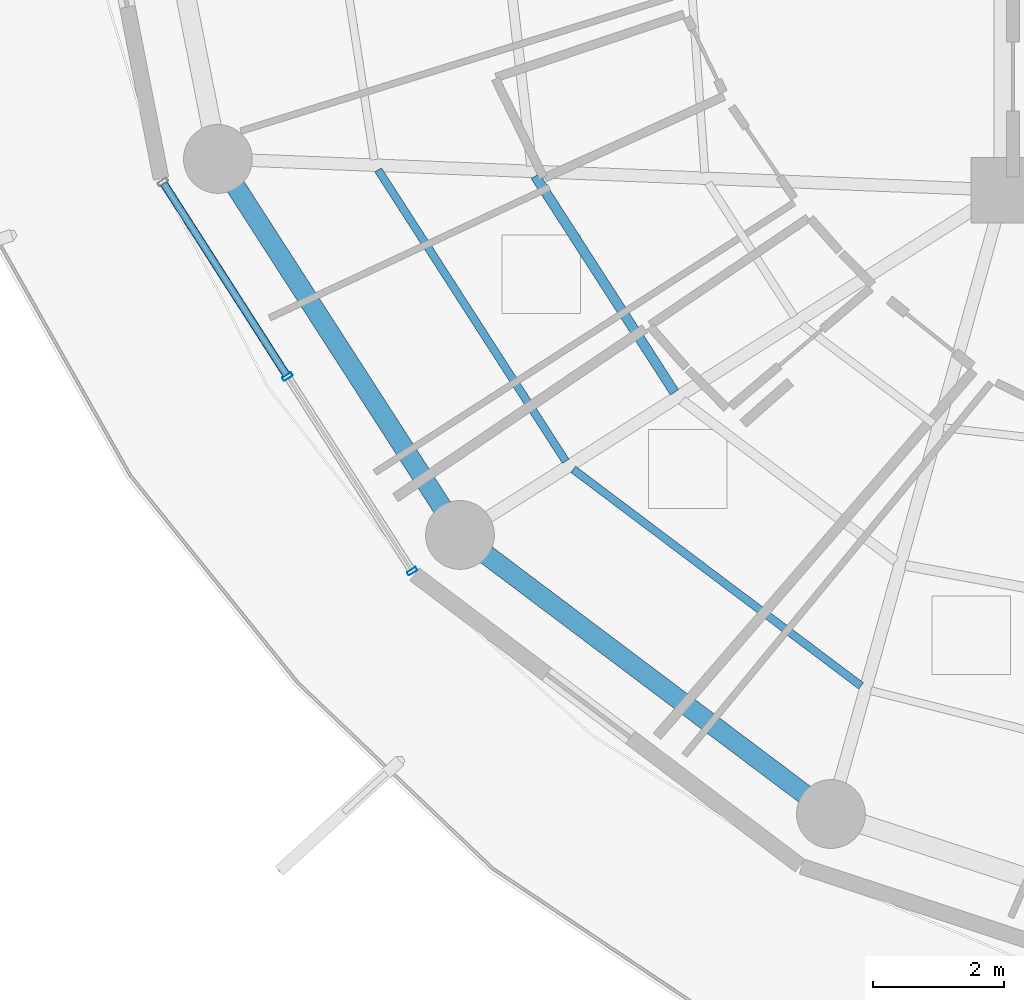
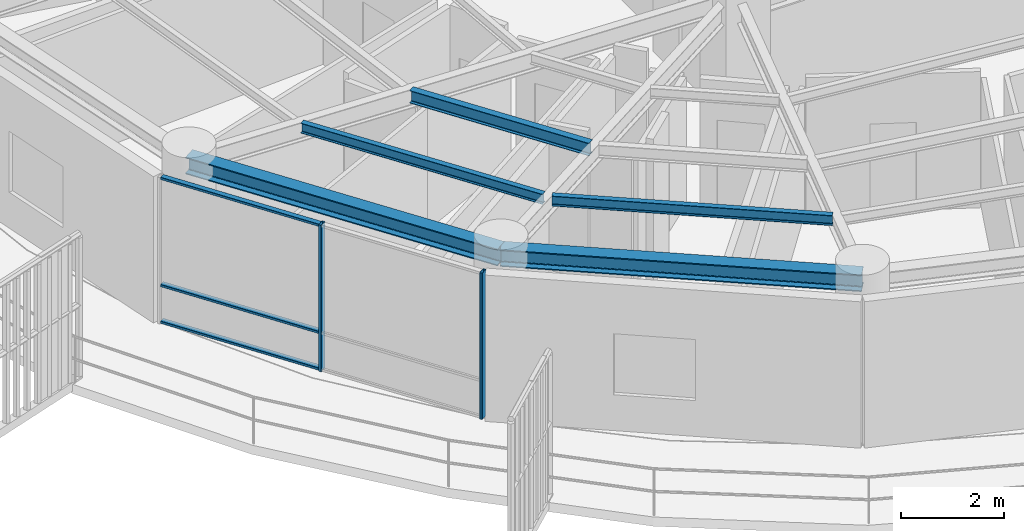
# One storey, part 2 of 31: 5 beams, 5 members, 1 element without a shape of its own.
"""IFC4 building model written with IfcOpenShell, lengths in metres."""

from ifc_helpers import new_model, si_unit, direction, frame, origin, origin_2d, place, context, subcontext, project, spatial, hollow_rectangle, i_section, extrude, material, layer, layer_set, material_profile, profile_set, type_object, element, aggregate, save


model = new_model("IFC4")

# Units and contexts
model_context = context("Model", 3, precision=1e-05, world=origin(), true_north=direction((0.0, 1.0)))
body_context = subcontext(model_context, "Body", "Model", "MODEL_VIEW")
ifc_project = project(units=[si_unit("LENGTHUNIT", "METRE"), si_unit("AREAUNIT", "SQUARE_METRE"), si_unit("VOLUMEUNIT", "CUBIC_METRE"), si_unit("PLANEANGLEUNIT", "RADIAN"), si_unit("MASSUNIT", "GRAM", prefix="KILO")], contexts=[model_context])

# Site, building, storey
site_placement = place(None, origin())
site = spatial("IfcSite", under=ifc_project, at=site_placement, CompositionType="ELEMENT")
building_placement = place(site_placement, origin())
building = spatial("IfcBuilding", under=site, at=building_placement, Name="Kelanora Arch Commons", CompositionType="ELEMENT")
storey_placement = place(building_placement, frame((0.0, 0.0, 230.699951171875)))
storey = spatial("IfcBuildingStorey", under=building, at=storey_placement, Name="L59", CompositionType="ELEMENT", Elevation=230.699951171875)

# Beams
ifc_material_1 = material(Name="Steel S355", Category="steel")
ifc_material_profile_1 = material_profile(ifc_material_1, i_section(OverallWidth=0.14990234375, OverallDepth=0.300048828125, WebThickness=0.007080078125, FlangeThickness=0.0107421875, FilletRadius=0.014892578125, at=origin_2d()), Name="IPE300")
ifc_profile_set_1 = profile_set([ifc_material_profile_1], Name="Steel S355")
beam_type_1 = type_object("IfcBeamType", Name="BM-JST-01", PredefinedType="JOIST", material=ifc_profile_set_1)
beam_1_placement = place(storey_placement, frame((58.847900390625, 51.213134765625, 3.340087890625), z_axis=(0.541411265892, -0.840757896879, 0.0), x_axis=(0.840757896879, 0.541411265892, 0.0)))
element("IfcBeam", 1, at=beam_1_placement, inside=storey, type_object=beam_type_1, Name="Secondary Chord Joist BJB-20 L59", PredefinedType="JOIST", context=body_context, shape_type="SweptSolid", body=[
    extrude(i_section(OverallWidth=0.14990234375, OverallDepth=0.300048828125, WebThickness=0.007080078125, FlangeThickness=0.0107421875, FilletRadius=0.014892578125, at=origin_2d()), origin(), (0.0, 0.0, 1.0), 3.92529296875),
])
ifc_material_profile_2 = material_profile(ifc_material_1, i_section(OverallWidth=0.1201171875, OverallDepth=0.239990234375, WebThickness=0.006103515625, FlangeThickness=0.009765625, FilletRadius=0.014892578125, at=origin_2d()), Name="IPE240")
ifc_profile_set_2 = profile_set([ifc_material_profile_2], Name="Steel S355")
beam_type_2 = type_object("IfcBeamType", Name="BM-JST-02", PredefinedType="JOIST", material=ifc_profile_set_2)
beam_2_placement = place(storey_placement, frame((56.44873046875, 51.30810546875, 3.3701171875), z_axis=(0.541382492679, -0.840776424872, 0.0), x_axis=(0.840776424872, 0.541382492679, 0.0)))
element("IfcBeam", 2, at=beam_2_placement, inside=storey, type_object=beam_type_2, Name="Secondary Chord Joist BJC-20 L59", PredefinedType="JOIST", context=body_context, shape_type="SweptSolid", body=[
    extrude(i_section(OverallWidth=0.1201171875, OverallDepth=0.239990234375, WebThickness=0.006103515625, FlangeThickness=0.009765625, FilletRadius=0.014892578125, at=origin_2d()), origin(), (0.0, 0.0, 1.0), 5.29052734375),
])
beam_3_placement = place(storey_placement, frame((59.4267578125, 46.7373046875, 3.3701171875), z_axis=(0.799109197935, -0.601185902842, 0.0), x_axis=(0.601185902842, 0.799109197935, 0.0)))
element("IfcBeam", 3, at=beam_3_placement, inside=storey, type_object=beam_type_2, Name="Secondary Chord Joist BJC-22 L59", PredefinedType="JOIST", context=body_context, shape_type="SweptSolid", body=[
    extrude(i_section(OverallWidth=0.1201171875, OverallDepth=0.239990234375, WebThickness=0.006103515625, FlangeThickness=0.009765625, FilletRadius=0.014892578125, at=origin_2d()), origin(), (0.0, 0.0, 1.0), 5.497802734375),
])
ifc_material_profile_3 = material_profile(ifc_material_1, i_section(OverallWidth=0.300048828125, OverallDepth=0.39990234375, WebThickness=0.013427734375, FlangeThickness=0.02392578125, FilletRadius=0.027099609375, at=origin_2d()), Name="HEB400")
ifc_profile_set_3 = profile_set([ifc_material_profile_3], Name="Steel S355")
beam_type_3 = type_object("IfcBeamType", Name="BM-SPN-Z4", PredefinedType="SPANDREL", material=ifc_profile_set_3)
beam_4_placement = place(storey_placement, frame((54.00341796875, 51.474365234375, 3.2900390625), z_axis=(0.541364878868, -0.840787766281, 0.0), x_axis=(0.840787766281, 0.541364878868, 0.0)))
element("IfcBeam", 4, at=beam_4_placement, inside=storey, type_object=beam_type_3, Name="Perimeter Spandrel Beam BS-20 L59", PredefinedType="SPANDREL", context=body_context, shape_type="SweptSolid", body=[
    extrude(i_section(OverallWidth=0.300048828125, OverallDepth=0.39990234375, WebThickness=0.013427734375, FlangeThickness=0.02392578125, FilletRadius=0.027099609375, at=origin_2d()), origin(), (0.0, 0.0, 1.0), 6.825439453125),
])
beam_5_placement = place(storey_placement, frame((57.698486328125, 45.735595703125, 3.2900390625), z_axis=(0.799114211715, -0.60117923836, 0.0), x_axis=(0.60117923836, 0.799114211715, 0.0)))
element("IfcBeam", 5, at=beam_5_placement, inside=storey, type_object=beam_type_3, Name="Perimeter Spandrel Beam BS-22 L59", PredefinedType="SPANDREL", context=body_context, shape_type="SweptSolid", body=[
    extrude(i_section(OverallWidth=0.300048828125, OverallDepth=0.39990234375, WebThickness=0.013427734375, FlangeThickness=0.02392578125, FilletRadius=0.027099609375, at=origin_2d()), origin(), (0.0, 0.0, 1.0), 7.0849609375),
])

# Curtain wall, members
ifc_material_2 = material(Name="Terracotta ceramic-fritted low-E glass and aluminium", Category="masonry")
ifc_layer = layer(ifc_material_2, 0.175048828125)
ifc_layer_set = layer_set([ifc_layer], Name="Terracotta ceramic-fritted low-E glass and aluminium")
curtain_wall_type = type_object("IfcCurtainWallType", Name="CW-SYS-02", PredefinedType="NOTDEFINED", material=ifc_layer_set)
curtain_wall_placement = place(storey_placement, origin())
curtain_wall = element("IfcCurtainWall", 6, at=curtain_wall_placement, inside=storey, type_object=curtain_wall_type, Name="Unitised Curtain Wall L59-B10", PredefinedType="NOTDEFINED")
ifc_material_3 = material(Name="Powder-coated aluminium terracotta", Category="masonry")
ifc_material_profile_4 = material_profile(ifc_material_3, hollow_rectangle(XDim=0.159912109375, YDim=0.06005859375, WallThickness=0.0048828125, InnerFilletRadius=0.0048828125, OuterFilletRadius=0.010009765625, at=origin_2d()), Name="CWM160x60")
ifc_profile_set_4 = profile_set([ifc_material_profile_4], Name="Powder-coated aluminium terracotta")
member_type_1 = type_object("IfcMemberType", Name="CWM-STD", PredefinedType="MULLION", material=ifc_profile_set_4)
member_1_placement = place(storey_placement, frame((55.06640625, 48.15185546875, 0.0), z_axis=(0.0, 0.0, 1.0), x_axis=(0.84194757539, 0.539559338994, 0.0)))
member_1 = element("IfcMember", 7, at=member_1_placement, type_object=member_type_1, Name="CW-02 mullion 2", PredefinedType="MULLION", context=body_context, shape_type="SweptSolid", body=[
    extrude(hollow_rectangle(XDim=0.159912109375, YDim=0.06005859375, WallThickness=0.0048828125, InnerFilletRadius=0.0048828125, OuterFilletRadius=0.010009765625, at=origin_2d()), origin(), (0.0, 0.0, 1.0), 3.47509765625),
])
member_2_placement = place(storey_placement, frame((56.969482421875, 45.18212890625, 0.0), z_axis=(0.0, 0.0, 1.0), x_axis=(0.84194757539, 0.539559338994, 0.0)))
member_2 = element("IfcMember", 8, at=member_2_placement, type_object=member_type_1, Name="CW-02 mullion 3", PredefinedType="MULLION", context=body_context, shape_type="SweptSolid", body=[
    extrude(hollow_rectangle(XDim=0.159912109375, YDim=0.06005859375, WallThickness=0.0048828125, InnerFilletRadius=0.0048828125, OuterFilletRadius=0.010009765625, at=origin_2d()), origin(), (0.0, 0.0, 1.0), 3.47509765625),
])
ifc_material_profile_5 = material_profile(ifc_material_3, hollow_rectangle(XDim=0.1201171875, YDim=0.06005859375, WallThickness=0.0048828125, InnerFilletRadius=0.0048828125, OuterFilletRadius=0.010009765625, at=origin_2d()), Name="CWT120x60")
ifc_profile_set_5 = profile_set([ifc_material_profile_5], Name="Powder-coated aluminium terracotta")
member_type_2 = type_object("IfcMemberType", Name="CWT-STD", PredefinedType="USERDEFINED", material=ifc_profile_set_5)
member_3_placement = place(storey_placement, frame((53.17919921875, 51.096435546875, 0.030029296875), z_axis=(0.539579095642, -0.84193491408, 0.0), x_axis=(0.84193491408, 0.539579095642, 0.0)))
member_3 = element("IfcMember", 9, at=member_3_placement, type_object=member_type_2, Name="CW-02 transom 1.1", ObjectType="TRANSOM", PredefinedType="USERDEFINED", context=body_context, shape_type="SweptSolid", body=[
    extrude(hollow_rectangle(XDim=0.1201171875, YDim=0.06005859375, WallThickness=0.0048828125, InnerFilletRadius=0.0048828125, OuterFilletRadius=0.010009765625, at=origin_2d()), origin(), (0.0, 0.0, 1.0), 3.46728515625),
])
member_4_placement = place(storey_placement, frame((53.17919921875, 51.096435546875, 0.900146484375), z_axis=(0.539579095642, -0.84193491408, 0.0), x_axis=(0.84193491408, 0.539579095642, 0.0)))
member_4 = element("IfcMember", 10, at=member_4_placement, type_object=member_type_2, Name="CW-02 transom 1.2", ObjectType="TRANSOM", PredefinedType="USERDEFINED", context=body_context, shape_type="SweptSolid", body=[
    extrude(hollow_rectangle(XDim=0.1201171875, YDim=0.06005859375, WallThickness=0.0048828125, InnerFilletRadius=0.0048828125, OuterFilletRadius=0.010009765625, at=origin_2d()), origin(), (0.0, 0.0, 1.0), 3.46728515625),
])
member_5_placement = place(storey_placement, frame((53.17919921875, 51.096435546875, 3.445068359375), z_axis=(0.539579095642, -0.84193491408, 0.0), x_axis=(0.84193491408, 0.539579095642, 0.0)))
member_5 = element("IfcMember", 11, at=member_5_placement, type_object=member_type_2, Name="CW-02 transom 1.3", ObjectType="TRANSOM", PredefinedType="USERDEFINED", context=body_context, shape_type="SweptSolid", body=[
    extrude(hollow_rectangle(XDim=0.1201171875, YDim=0.06005859375, WallThickness=0.0048828125, InnerFilletRadius=0.0048828125, OuterFilletRadius=0.010009765625, at=origin_2d()), origin(), (0.0, 0.0, 1.0), 3.46728515625),
])
aggregate(curtain_wall, [member_1, member_2, member_3, member_4, member_5])

save(model, "model.ifc")
